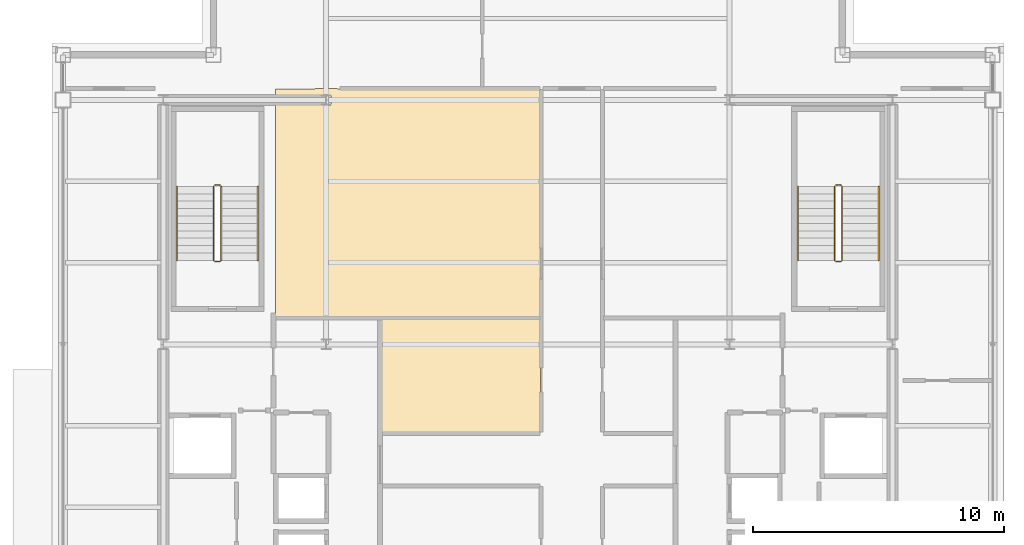
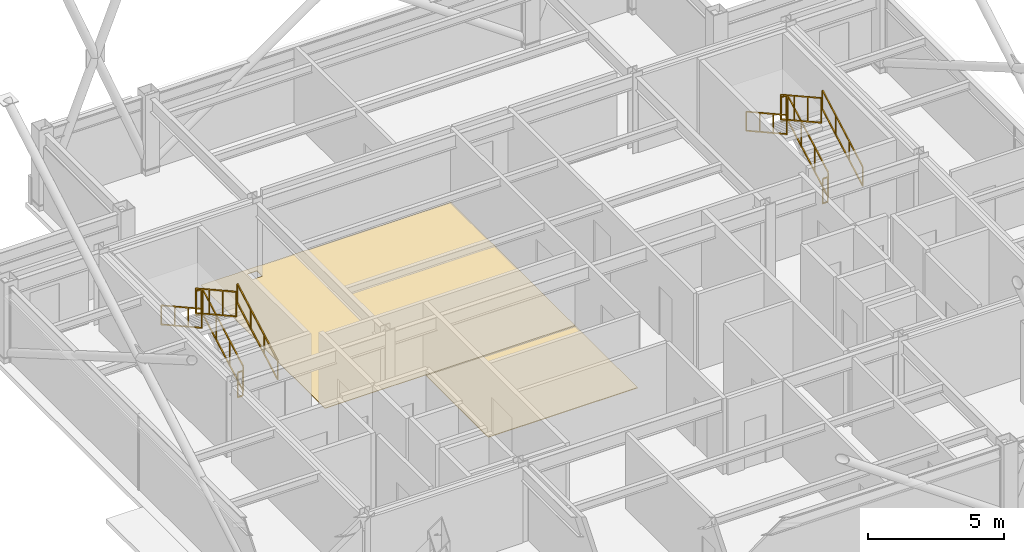
# One storey, part 24 of 24: 12 railings, 2 coverings.
"""IFC4 building model written with IfcOpenShell, lengths in metres."""

from ifc_helpers import new_model, si_unit, direction, frame, origin, origin_2d, place, context, subcontext, project, spatial, polyline, rectangle, outline, extrude, material, layer, layer_set, type_object, element, save


model = new_model("IFC4")

# Units and contexts
model_context = context("Model", 3, precision=1e-05, world=origin(), true_north=direction((0.0, 1.0)))
body_context = subcontext(model_context, "Body", "Model", "MODEL_VIEW")
ifc_project = project(units=[si_unit("LENGTHUNIT", "METRE"), si_unit("AREAUNIT", "SQUARE_METRE"), si_unit("VOLUMEUNIT", "CUBIC_METRE"), si_unit("PLANEANGLEUNIT", "RADIAN"), si_unit("MASSUNIT", "GRAM", prefix="KILO")], contexts=[model_context])

# Site, building, storey
site_placement = place(None, origin())
site = spatial("IfcSite", under=ifc_project, at=site_placement, CompositionType="ELEMENT")
building_placement = place(site_placement, origin())
building = spatial("IfcBuilding", under=site, at=building_placement, Name="Brelmoor Portico Tower", CompositionType="ELEMENT")
storey_placement = place(building_placement, frame((0.0, 0.0, 268.800048828125)))
storey = spatial("IfcBuildingStorey", under=building, at=storey_placement, Name="L71", CompositionType="ELEMENT", Elevation=268.800048828125)

# Coverings
ifc_material_1 = material(Name="Polished Pale-Aggregate Cementitious Terrazzo", Category="stone")
ifc_layer_1 = layer(ifc_material_1, 0.030029296875)
ifc_layer_set_1 = layer_set([ifc_layer_1], Name="Polished Pale-Aggregate Cementitious Terrazzo")
covering_type_1 = type_object("IfcCoveringType", Name="CV-FLR-TERRAZZO-30", PredefinedType="FLOORING", material=ifc_layer_set_1)
covering_1_placement = place(storey_placement, origin())
element("IfcCovering", 1, at=covering_1_placement, inside=storey, type_object=covering_type_1, Name="L71 Architectural Floor Finish 02", PredefinedType="FLOORING", context=body_context, shape_type="SweptSolid", body=[
    extrude(outline(polyline([(-5.820068359375, -3.510009765625), (-5.820068359375, 1.0400390625), (0.510009765625, 1.0400390625), (0.510009765625, -3.510009765625), (-5.820068359375, -3.510009765625)])), origin(), (0.0, 0.0, 1.0), 0.030029296875),
])
ifc_material_2 = material(Name="Engineered Quarter-Sawn Oak Parquet Flooring", Category="timber")
ifc_layer_2 = layer(ifc_material_2, 0.02197265625)
ifc_layer_set_2 = layer_set([ifc_layer_2], Name="Engineered Quarter-Sawn Oak Parquet Flooring")
covering_type_2 = type_object("IfcCoveringType", Name="CV-FLR-TIMBER-22", PredefinedType="FLOORING", material=ifc_layer_set_2)
covering_2_placement = place(storey_placement, origin())
element("IfcCovering", 2, at=covering_2_placement, inside=storey, type_object=covering_type_2, Name="L71 Architectural Floor Finish 01", PredefinedType="FLOORING", context=body_context, shape_type="SweptSolid", body=[
    extrude(outline(polyline([(-10.080078125, 10.18994140625), (-8.5, 10.18994140625), (-8.5, 10.199951171875), (-7.60009765625, 10.199951171875), (-7.60009765625, 10.18994140625), (0.510009765625, 10.18994140625), (0.510009765625, 1.090087890625), (-10.080078125, 1.090087890625), (-10.080078125, 10.18994140625)]), holes=[polyline([(-7.85009765625, 9.550048828125), (-7.85009765625, 9.949951171875), (-8.25, 9.949951171875), (-8.25, 9.550048828125), (-7.85009765625, 9.550048828125)])]), origin(), (0.0, 0.0, 1.0), 0.02197265625),
])

# Railings
ifc_material_3 = material(Name="Painted Tubular Steel Q235B", Category="steel")
railing_type_1 = type_object("IfcRailingType", Name="RL-STAIR-GUARD", PredefinedType="GUARDRAIL", material=ifc_material_3)
railing_1_placement = place(storey_placement, frame((-12.239990234375, 3.35009765625, 0.16357421875)))
element("IfcRailing", 3, at=railing_1_placement, inside=storey, type_object=railing_type_1, Name="L71 ST-W stair guard 1", PredefinedType="GUARDRAIL", context=body_context, shape_type="SweptSolid", body=[
    extrude(rectangle(XDim=0.048095703125, YDim=0.048095703125, at=origin_2d()), frame((0.0, 0.0, 1.1259765625), z_axis=(0.0, 0.874457516365, 0.485102104791), x_axis=(-1.0, 0.0, 0.0)), (0.0, 0.0, 1.0), 3.37353515625),
    extrude(rectangle(XDim=0.048095703125, YDim=0.048095703125, at=origin_2d()), frame((0.0, 0.0, 0.02392578125), z_axis=(0.0, 0.874457516365, 0.485102104791), x_axis=(-1.0, 0.0, 0.0)), (0.0, 0.0, 1.0), 3.37353515625),
    extrude(rectangle(XDim=0.0419921875, YDim=0.0419921875, at=origin_2d()), origin(), (0.0, 0.0, 1.0), 1.101806640625),
    extrude(rectangle(XDim=0.0419921875, YDim=0.0419921875, at=origin_2d()), frame((0.0, 0.9833984375, 0.54541015625)), (0.0, 0.0, 1.0), 1.101806640625),
    extrude(rectangle(XDim=0.0419921875, YDim=0.0419921875, at=origin_2d()), frame((0.0, 1.966552734375, 1.091064453125)), (0.0, 0.0, 1.0), 1.101806640625),
    extrude(rectangle(XDim=0.0419921875, YDim=0.0419921875, at=origin_2d()), frame((0.0, 2.949951171875, 1.636474609375)), (0.0, 0.0, 1.0), 1.101806640625),
])
railing_2_placement = place(storey_placement, frame((-12.2900390625, 6.35009765625, 1.800048828125)))
element("IfcRailing", 4, at=railing_2_placement, inside=storey, type_object=railing_type_1, Name="L71 ST-W stair guard 2", PredefinedType="GUARDRAIL", context=body_context, shape_type="SweptSolid", body=[
    extrude(rectangle(XDim=0.048095703125, YDim=0.048095703125, at=origin_2d()), frame((0.0, 0.0, 1.1259765625), z_axis=(-1.0, 0.0, 0.0), x_axis=(0.0, -1.0, 0.0)), (0.0, 0.0, 1.0), 0.199951171875),
    extrude(rectangle(XDim=0.048095703125, YDim=0.048095703125, at=origin_2d()), frame((0.0, 0.0, 0.02392578125), z_axis=(-1.0, 0.0, 0.0), x_axis=(0.0, -1.0, 0.0)), (0.0, 0.0, 1.0), 0.199951171875),
    extrude(rectangle(XDim=0.0419921875, YDim=0.0419921875, at=origin_2d()), origin(), (0.0, 0.0, 1.0), 1.101806640625),
    extrude(rectangle(XDim=0.0419921875, YDim=0.0419921875, at=origin_2d()), frame((-0.199951171875, 0.0, 0.0)), (0.0, 0.0, 1.0), 1.101806640625),
])
railing_3_placement = place(storey_placement, frame((-12.5400390625, 6.300048828125, 1.963623046875)))
element("IfcRailing", 5, at=railing_3_placement, inside=storey, type_object=railing_type_1, Name="L71 ST-W stair guard 3", PredefinedType="GUARDRAIL", context=body_context, shape_type="SweptSolid", body=[
    extrude(rectangle(XDim=0.048095703125, YDim=0.048095703125, at=origin_2d()), frame((0.0, 0.0, 1.1259765625), z_axis=(0.0, -0.87448821551, 0.485046761595), x_axis=(1.0, 0.0, 0.0)), (0.0, 0.0, 1.0), 3.373291015625),
    extrude(rectangle(XDim=0.048095703125, YDim=0.048095703125, at=origin_2d()), frame((0.0, 0.0, 0.02392578125), z_axis=(0.0, -0.87448821551, 0.485046761595), x_axis=(1.0, 0.0, 0.0)), (0.0, 0.0, 1.0), 3.373291015625),
    extrude(rectangle(XDim=0.0419921875, YDim=0.0419921875, at=origin_2d()), origin(), (0.0, 0.0, 1.0), 1.101806640625),
    extrude(rectangle(XDim=0.0419921875, YDim=0.0419921875, at=origin_2d()), frame((0.0, -0.9833984375, 0.54541015625)), (0.0, 0.0, 1.0), 1.101806640625),
    extrude(rectangle(XDim=0.0419921875, YDim=0.0419921875, at=origin_2d()), frame((0.0, -1.966552734375, 1.0908203125)), (0.0, 0.0, 1.0), 1.101806640625),
    extrude(rectangle(XDim=0.0419921875, YDim=0.0419921875, at=origin_2d()), frame((0.0, -2.949951171875, 1.63623046875)), (0.0, 0.0, 1.0), 1.101806640625),
])
railing_4_placement = place(storey_placement, frame((-12.2900390625, 3.300048828125, 0.0)))
element("IfcRailing", 6, at=railing_4_placement, inside=storey, type_object=railing_type_1, Name="L71 ST-W stair guard 4", PredefinedType="GUARDRAIL", context=body_context, shape_type="SweptSolid", body=[
    extrude(rectangle(XDim=0.048095703125, YDim=0.048095703125, at=origin_2d()), frame((0.0, 0.0, 1.1259765625), z_axis=(-1.0, 0.0, 0.0), x_axis=(0.0, -1.0, 0.0)), (0.0, 0.0, 1.0), 0.199951171875),
    extrude(rectangle(XDim=0.048095703125, YDim=0.048095703125, at=origin_2d()), frame((0.0, 0.0, 0.02392578125), z_axis=(-1.0, 0.0, 0.0), x_axis=(0.0, -1.0, 0.0)), (0.0, 0.0, 1.0), 0.199951171875),
    extrude(rectangle(XDim=0.0419921875, YDim=0.0419921875, at=origin_2d()), origin(), (0.0, 0.0, 1.0), 1.101806640625),
    extrude(rectangle(XDim=0.0419921875, YDim=0.0419921875, at=origin_2d()), frame((-0.199951171875, 0.0, 0.0)), (0.0, 0.0, 1.0), 1.101806640625),
])
railing_5_placement = place(storey_placement, frame((12.5400390625, 3.35009765625, 0.16357421875)))
element("IfcRailing", 7, at=railing_5_placement, inside=storey, type_object=railing_type_1, Name="L71 ST-E stair guard 1", PredefinedType="GUARDRAIL", context=body_context, shape_type="SweptSolid", body=[
    extrude(rectangle(XDim=0.048095703125, YDim=0.048095703125, at=origin_2d()), frame((0.0, 0.0, 1.1259765625), z_axis=(0.0, 0.874457516365, 0.485102104791), x_axis=(-1.0, 0.0, 0.0)), (0.0, 0.0, 1.0), 3.37353515625),
    extrude(rectangle(XDim=0.048095703125, YDim=0.048095703125, at=origin_2d()), frame((0.0, 0.0, 0.02392578125), z_axis=(0.0, 0.874457516365, 0.485102104791), x_axis=(-1.0, 0.0, 0.0)), (0.0, 0.0, 1.0), 3.37353515625),
    extrude(rectangle(XDim=0.0419921875, YDim=0.0419921875, at=origin_2d()), origin(), (0.0, 0.0, 1.0), 1.101806640625),
    extrude(rectangle(XDim=0.0419921875, YDim=0.0419921875, at=origin_2d()), frame((0.0, 0.9833984375, 0.54541015625)), (0.0, 0.0, 1.0), 1.101806640625),
    extrude(rectangle(XDim=0.0419921875, YDim=0.0419921875, at=origin_2d()), frame((0.0, 1.966552734375, 1.091064453125)), (0.0, 0.0, 1.0), 1.101806640625),
    extrude(rectangle(XDim=0.0419921875, YDim=0.0419921875, at=origin_2d()), frame((0.0, 2.949951171875, 1.636474609375)), (0.0, 0.0, 1.0), 1.101806640625),
])
railing_6_placement = place(storey_placement, frame((12.489990234375, 6.35009765625, 1.800048828125)))
element("IfcRailing", 8, at=railing_6_placement, inside=storey, type_object=railing_type_1, Name="L71 ST-E stair guard 2", PredefinedType="GUARDRAIL", context=body_context, shape_type="SweptSolid", body=[
    extrude(rectangle(XDim=0.048095703125, YDim=0.048095703125, at=origin_2d()), frame((0.0, 0.0, 1.1259765625), z_axis=(-1.0, 0.0, 0.0), x_axis=(0.0, -1.0, 0.0)), (0.0, 0.0, 1.0), 0.199951171875),
    extrude(rectangle(XDim=0.048095703125, YDim=0.048095703125, at=origin_2d()), frame((0.0, 0.0, 0.02392578125), z_axis=(-1.0, 0.0, 0.0), x_axis=(0.0, -1.0, 0.0)), (0.0, 0.0, 1.0), 0.199951171875),
    extrude(rectangle(XDim=0.0419921875, YDim=0.0419921875, at=origin_2d()), origin(), (0.0, 0.0, 1.0), 1.101806640625),
    extrude(rectangle(XDim=0.0419921875, YDim=0.0419921875, at=origin_2d()), frame((-0.199951171875, 0.0, 0.0)), (0.0, 0.0, 1.0), 1.101806640625),
])
railing_7_placement = place(storey_placement, frame((12.239990234375, 6.300048828125, 1.963623046875)))
element("IfcRailing", 9, at=railing_7_placement, inside=storey, type_object=railing_type_1, Name="L71 ST-E stair guard 3", PredefinedType="GUARDRAIL", context=body_context, shape_type="SweptSolid", body=[
    extrude(rectangle(XDim=0.048095703125, YDim=0.048095703125, at=origin_2d()), frame((0.0, 0.0, 1.1259765625), z_axis=(0.0, -0.87448821551, 0.485046761595), x_axis=(1.0, 0.0, 0.0)), (0.0, 0.0, 1.0), 3.373291015625),
    extrude(rectangle(XDim=0.048095703125, YDim=0.048095703125, at=origin_2d()), frame((0.0, 0.0, 0.02392578125), z_axis=(0.0, -0.87448821551, 0.485046761595), x_axis=(1.0, 0.0, 0.0)), (0.0, 0.0, 1.0), 3.373291015625),
    extrude(rectangle(XDim=0.0419921875, YDim=0.0419921875, at=origin_2d()), origin(), (0.0, 0.0, 1.0), 1.101806640625),
    extrude(rectangle(XDim=0.0419921875, YDim=0.0419921875, at=origin_2d()), frame((0.0, -0.9833984375, 0.54541015625)), (0.0, 0.0, 1.0), 1.101806640625),
    extrude(rectangle(XDim=0.0419921875, YDim=0.0419921875, at=origin_2d()), frame((0.0, -1.966552734375, 1.0908203125)), (0.0, 0.0, 1.0), 1.101806640625),
    extrude(rectangle(XDim=0.0419921875, YDim=0.0419921875, at=origin_2d()), frame((0.0, -2.949951171875, 1.63623046875)), (0.0, 0.0, 1.0), 1.101806640625),
])
railing_8_placement = place(storey_placement, frame((12.489990234375, 3.300048828125, 0.0)))
element("IfcRailing", 10, at=railing_8_placement, inside=storey, type_object=railing_type_1, Name="L71 ST-E stair guard 4", PredefinedType="GUARDRAIL", context=body_context, shape_type="SweptSolid", body=[
    extrude(rectangle(XDim=0.048095703125, YDim=0.048095703125, at=origin_2d()), frame((0.0, 0.0, 1.1259765625), z_axis=(-1.0, 0.0, 0.0), x_axis=(0.0, -1.0, 0.0)), (0.0, 0.0, 1.0), 0.199951171875),
    extrude(rectangle(XDim=0.048095703125, YDim=0.048095703125, at=origin_2d()), frame((0.0, 0.0, 0.02392578125), z_axis=(-1.0, 0.0, 0.0), x_axis=(0.0, -1.0, 0.0)), (0.0, 0.0, 1.0), 0.199951171875),
    extrude(rectangle(XDim=0.0419921875, YDim=0.0419921875, at=origin_2d()), origin(), (0.0, 0.0, 1.0), 1.101806640625),
    extrude(rectangle(XDim=0.0419921875, YDim=0.0419921875, at=origin_2d()), frame((-0.199951171875, 0.0, 0.0)), (0.0, 0.0, 1.0), 1.101806640625),
])
ifc_material_4 = material(Name="Brushed Stainless Steel 304", Category="steel")
railing_type_2 = type_object("IfcRailingType", Name="RL-STAIR-HANDRAIL", PredefinedType="HANDRAIL", material=ifc_material_4)
railing_9_placement = place(storey_placement, frame((-10.780029296875, 3.35009765625, 0.16357421875)))
element("IfcRailing", 11, at=railing_9_placement, inside=storey, type_object=railing_type_2, Name="L71 ST-W stair handrail 1", PredefinedType="HANDRAIL", context=body_context, shape_type="SweptSolid", body=[
    extrude(rectangle(XDim=0.048095703125, YDim=0.048095703125, at=origin_2d()), frame((0.0, 0.0, 0.8759765625), z_axis=(0.0, 0.874457516365, 0.485102104791), x_axis=(-1.0, 0.0, 0.0)), (0.0, 0.0, 1.0), 3.37353515625),
    extrude(rectangle(XDim=0.048095703125, YDim=0.048095703125, at=origin_2d()), frame((0.0, 0.0, 0.02392578125), z_axis=(0.0, 0.874457516365, 0.485102104791), x_axis=(-1.0, 0.0, 0.0)), (0.0, 0.0, 1.0), 3.37353515625),
    extrude(rectangle(XDim=0.0419921875, YDim=0.0419921875, at=origin_2d()), origin(), (0.0, 0.0, 1.0), 0.851806640625),
    extrude(rectangle(XDim=0.0419921875, YDim=0.0419921875, at=origin_2d()), frame((0.0, 0.9833984375, 0.54541015625)), (0.0, 0.0, 1.0), 0.851806640625),
    extrude(rectangle(XDim=0.0419921875, YDim=0.0419921875, at=origin_2d()), frame((0.0, 1.966552734375, 1.091064453125)), (0.0, 0.0, 1.0), 0.851806640625),
    extrude(rectangle(XDim=0.0419921875, YDim=0.0419921875, at=origin_2d()), frame((0.0, 2.949951171875, 1.636474609375)), (0.0, 0.0, 1.0), 0.851806640625),
])
railing_10_placement = place(storey_placement, frame((-14.0, 6.300048828125, 1.963623046875)))
element("IfcRailing", 12, at=railing_10_placement, inside=storey, type_object=railing_type_2, Name="L71 ST-W stair handrail 2", PredefinedType="HANDRAIL", context=body_context, shape_type="SweptSolid", body=[
    extrude(rectangle(XDim=0.048095703125, YDim=0.048095703125, at=origin_2d()), frame((0.0, 0.0, 0.8759765625), z_axis=(0.0, -0.87448821551, 0.485046761595), x_axis=(1.0, 0.0, 0.0)), (0.0, 0.0, 1.0), 3.373291015625),
    extrude(rectangle(XDim=0.048095703125, YDim=0.048095703125, at=origin_2d()), frame((0.0, 0.0, 0.02392578125), z_axis=(0.0, -0.87448821551, 0.485046761595), x_axis=(1.0, 0.0, 0.0)), (0.0, 0.0, 1.0), 3.373291015625),
    extrude(rectangle(XDim=0.0419921875, YDim=0.0419921875, at=origin_2d()), origin(), (0.0, 0.0, 1.0), 0.851806640625),
    extrude(rectangle(XDim=0.0419921875, YDim=0.0419921875, at=origin_2d()), frame((0.0, -0.9833984375, 0.54541015625)), (0.0, 0.0, 1.0), 0.851806640625),
    extrude(rectangle(XDim=0.0419921875, YDim=0.0419921875, at=origin_2d()), frame((0.0, -1.966552734375, 1.0908203125)), (0.0, 0.0, 1.0), 0.851806640625),
    extrude(rectangle(XDim=0.0419921875, YDim=0.0419921875, at=origin_2d()), frame((0.0, -2.949951171875, 1.63623046875)), (0.0, 0.0, 1.0), 0.851806640625),
])
railing_11_placement = place(storey_placement, frame((14.0, 3.35009765625, 0.16357421875)))
element("IfcRailing", 13, at=railing_11_placement, inside=storey, type_object=railing_type_2, Name="L71 ST-E stair handrail 1", PredefinedType="HANDRAIL", context=body_context, shape_type="SweptSolid", body=[
    extrude(rectangle(XDim=0.048095703125, YDim=0.048095703125, at=origin_2d()), frame((0.0, 0.0, 0.8759765625), z_axis=(0.0, 0.874457516365, 0.485102104791), x_axis=(-1.0, 0.0, 0.0)), (0.0, 0.0, 1.0), 3.37353515625),
    extrude(rectangle(XDim=0.048095703125, YDim=0.048095703125, at=origin_2d()), frame((0.0, 0.0, 0.02392578125), z_axis=(0.0, 0.874457516365, 0.485102104791), x_axis=(-1.0, 0.0, 0.0)), (0.0, 0.0, 1.0), 3.37353515625),
    extrude(rectangle(XDim=0.0419921875, YDim=0.0419921875, at=origin_2d()), origin(), (0.0, 0.0, 1.0), 0.851806640625),
    extrude(rectangle(XDim=0.0419921875, YDim=0.0419921875, at=origin_2d()), frame((0.0, 0.9833984375, 0.54541015625)), (0.0, 0.0, 1.0), 0.851806640625),
    extrude(rectangle(XDim=0.0419921875, YDim=0.0419921875, at=origin_2d()), frame((0.0, 1.966552734375, 1.091064453125)), (0.0, 0.0, 1.0), 0.851806640625),
    extrude(rectangle(XDim=0.0419921875, YDim=0.0419921875, at=origin_2d()), frame((0.0, 2.949951171875, 1.636474609375)), (0.0, 0.0, 1.0), 0.851806640625),
])
railing_12_placement = place(storey_placement, frame((10.780029296875, 6.300048828125, 1.963623046875)))
element("IfcRailing", 14, at=railing_12_placement, inside=storey, type_object=railing_type_2, Name="L71 ST-E stair handrail 2", PredefinedType="HANDRAIL", context=body_context, shape_type="SweptSolid", body=[
    extrude(rectangle(XDim=0.048095703125, YDim=0.048095703125, at=origin_2d()), frame((0.0, 0.0, 0.8759765625), z_axis=(0.0, -0.87448821551, 0.485046761595), x_axis=(1.0, 0.0, 0.0)), (0.0, 0.0, 1.0), 3.373291015625),
    extrude(rectangle(XDim=0.048095703125, YDim=0.048095703125, at=origin_2d()), frame((0.0, 0.0, 0.02392578125), z_axis=(0.0, -0.87448821551, 0.485046761595), x_axis=(1.0, 0.0, 0.0)), (0.0, 0.0, 1.0), 3.373291015625),
    extrude(rectangle(XDim=0.0419921875, YDim=0.0419921875, at=origin_2d()), origin(), (0.0, 0.0, 1.0), 0.851806640625),
    extrude(rectangle(XDim=0.0419921875, YDim=0.0419921875, at=origin_2d()), frame((0.0, -0.9833984375, 0.54541015625)), (0.0, 0.0, 1.0), 0.851806640625),
    extrude(rectangle(XDim=0.0419921875, YDim=0.0419921875, at=origin_2d()), frame((0.0, -1.966552734375, 1.0908203125)), (0.0, 0.0, 1.0), 0.851806640625),
    extrude(rectangle(XDim=0.0419921875, YDim=0.0419921875, at=origin_2d()), frame((0.0, -2.949951171875, 1.63623046875)), (0.0, 0.0, 1.0), 0.851806640625),
])

save(model, "model.ifc")
